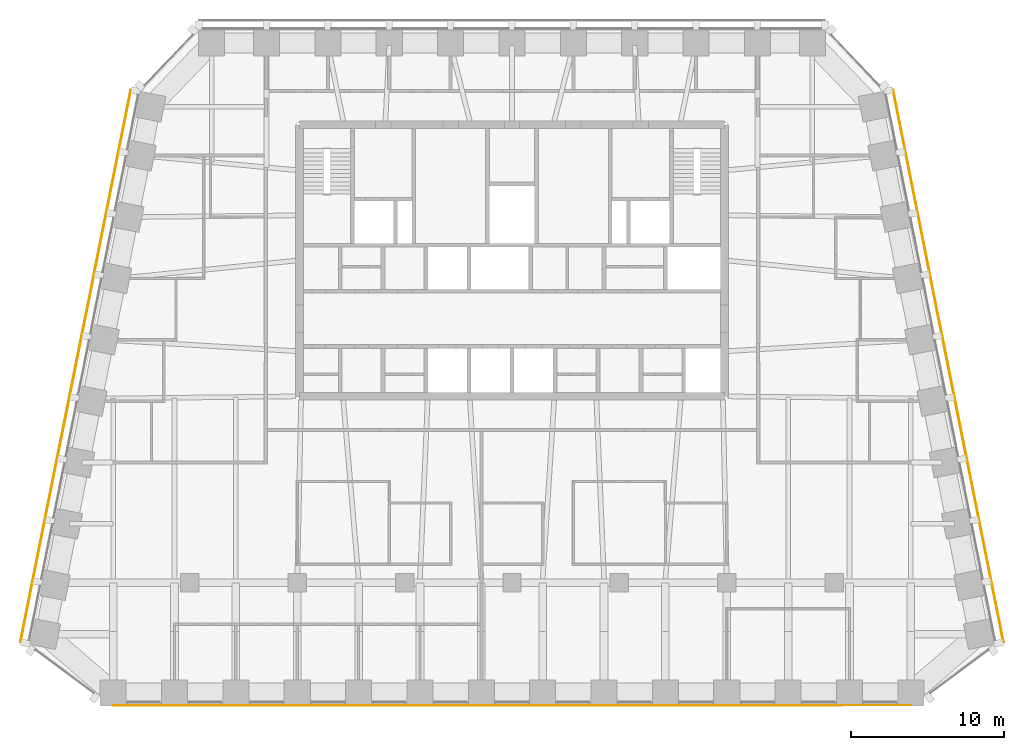
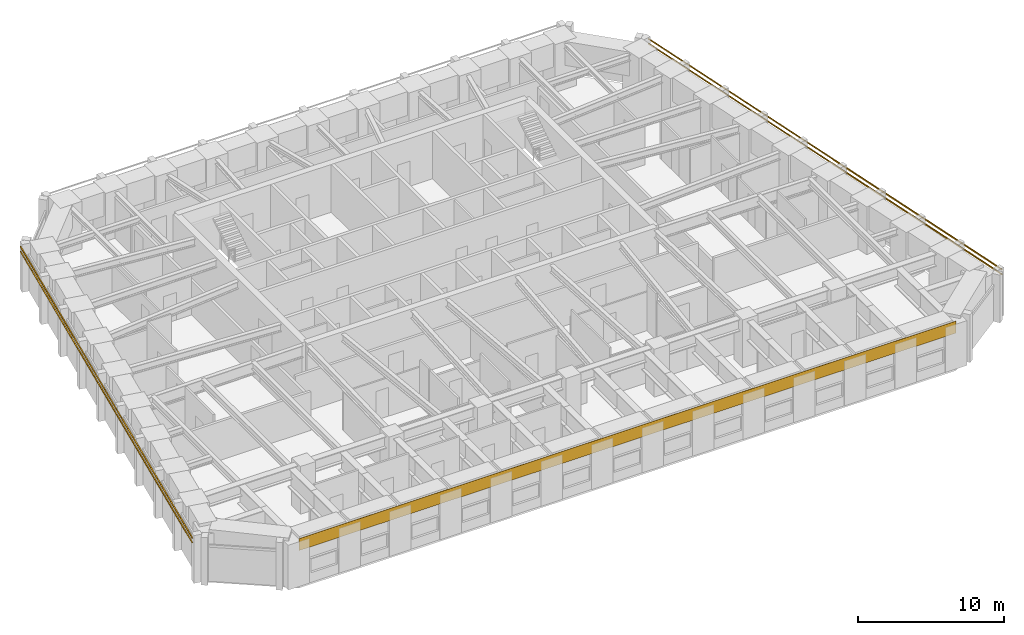
# One storey, part 10 of 11: 4 shading devices, 1 covering.
"""IFC4 building model written with IfcOpenShell, lengths in metres."""

from ifc_helpers import new_model, si_unit, direction, frame, origin, origin_2d, place, context, subcontext, project, spatial, rectangle, extrude, material, layer, layer_set, material_profile, profile_set, type_object, element, save


model = new_model("IFC4")

# Units and contexts
model_context = context("Model", 3, precision=1e-05, world=origin(), true_north=direction((0.0, 1.0)))
body_context = subcontext(model_context, "Body", "Model", "MODEL_VIEW")
ifc_project = project(units=[si_unit("LENGTHUNIT", "METRE"), si_unit("AREAUNIT", "SQUARE_METRE"), si_unit("VOLUMEUNIT", "CUBIC_METRE"), si_unit("PLANEANGLEUNIT", "RADIAN"), si_unit("MASSUNIT", "GRAM", prefix="KILO")], contexts=[model_context])

# Site, building, storey
site_placement = place(None, origin())
site = spatial("IfcSite", under=ifc_project, at=site_placement, CompositionType="ELEMENT")
building_placement = place(site_placement, origin())
building = spatial("IfcBuilding", under=site, at=building_placement, Name="Isbrekke Arena Tower", CompositionType="ELEMENT")
storey_placement = place(building_placement, frame((0.0, 0.0, 268.0)))
storey = spatial("IfcBuildingStorey", under=building, at=storey_placement, Name="L62", CompositionType="ELEMENT", Elevation=268.0)

# Shading devices
ifc_material_1 = material(Name="Terracotta", Category="masonry")
ifc_material_profile = material_profile(ifc_material_1, rectangle(XDim=0.06005859375, YDim=0.06005859375, at=origin_2d()), Name="BAGUETTE 60X60")
ifc_profile_set = profile_set([ifc_material_profile], Name="Terracotta")
shading_device_type = type_object("IfcShadingDeviceType", Name="BG1 TERRACOTTA BAGUETTE 60 x 60", PredefinedType="USERDEFINED", material=ifc_profile_set)
for number, where, z_axis, x_axis, name in (
    (1, (32.042236328125, -9.87158203125, 3.280029296875), (-0.196114856294, 0.980580931459, 0.0), (-0.980580931459, -0.196114856294, 0.0), "BG1 terracotta baguette E1 L62"),
    (2, (32.042236328125, -9.87158203125, 3.679931640625), (-0.196114856294, 0.980580931459, 0.0), (-0.980580931459, -0.196114856294, 0.0), "BG1 terracotta baguette E2 L62"),
    (3, (-24.84228515625, 26.12841796875, 3.280029296875), (-0.196114856294, -0.980580931459, 0.0), (0.980580931459, -0.196114856294, 0.0), "BG1 terracotta baguette W1 L62"),
    (4, (-24.84228515625, 26.12841796875, 3.679931640625), (-0.196114856294, -0.980580931459, 0.0), (0.980580931459, -0.196114856294, 0.0), "BG1 terracotta baguette W2 L62"),
):
    element("IfcShadingDevice", number, at=place(storey_placement, frame(where, z_axis=z_axis, x_axis=x_axis)), inside=storey, type_object=shading_device_type, Name=name, ObjectType="TERRACOTTA BAGUETTE", PredefinedType="USERDEFINED", context=body_context, shape_type="SweptSolid", body=[
        extrude(rectangle(XDim=0.06005859375, YDim=0.06005859375, at=origin_2d()), origin(), (0.0, 0.0, 1.0), 36.712890625),
    ])

# Covering
ifc_material_2 = material(Name="Pre-patinated copper sheet", Category="metal")
ifc_layer = layer(ifc_material_2, 0.02001953125)
ifc_layer_set = layer_set([ifc_layer], Name="CL1 COPPER CLADDING")
covering_type = type_object("IfcCoveringType", Name="CL1 COPPER CLADDING", PredefinedType="CLADDING", material=ifc_layer_set)
covering_placement = place(storey_placement, frame((0.0, -14.010009765625, 3.0), z_axis=(0.0, 0.0, 1.0), x_axis=(1.0, 0.0, 0.0)))
element("IfcCovering", 5, at=covering_placement, inside=storey, type_object=covering_type, Name="CL1 copper cladding L62", PredefinedType="CLADDING", context=body_context, shape_type="SweptSolid", body=[
    extrude(rectangle(XDim=52.0, YDim=0.02001953125, at=origin_2d()), origin(), (0.0, 0.0, 1.0), 1.0),
])

save(model, "model.ifc")
